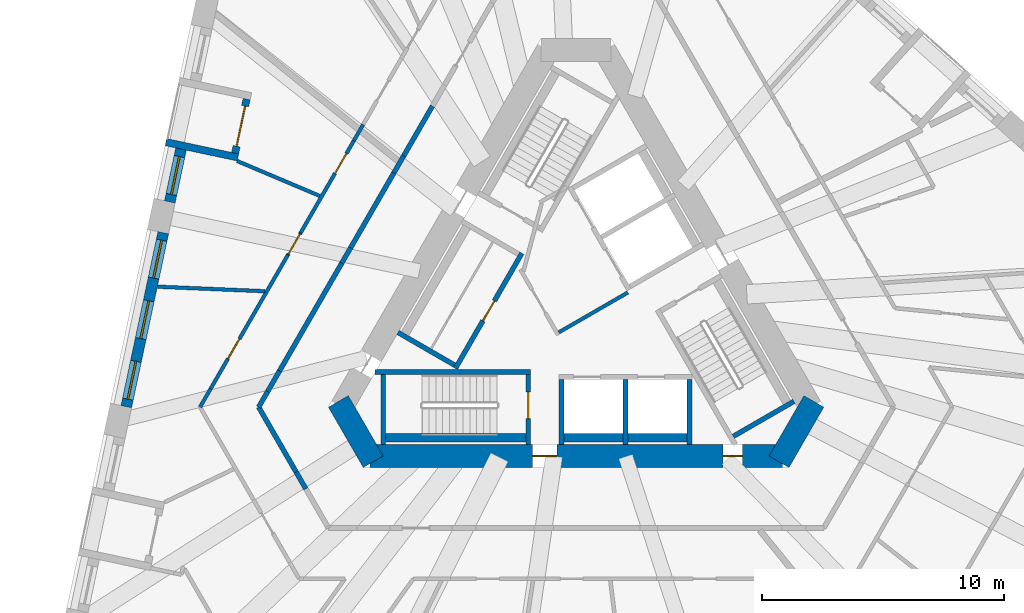
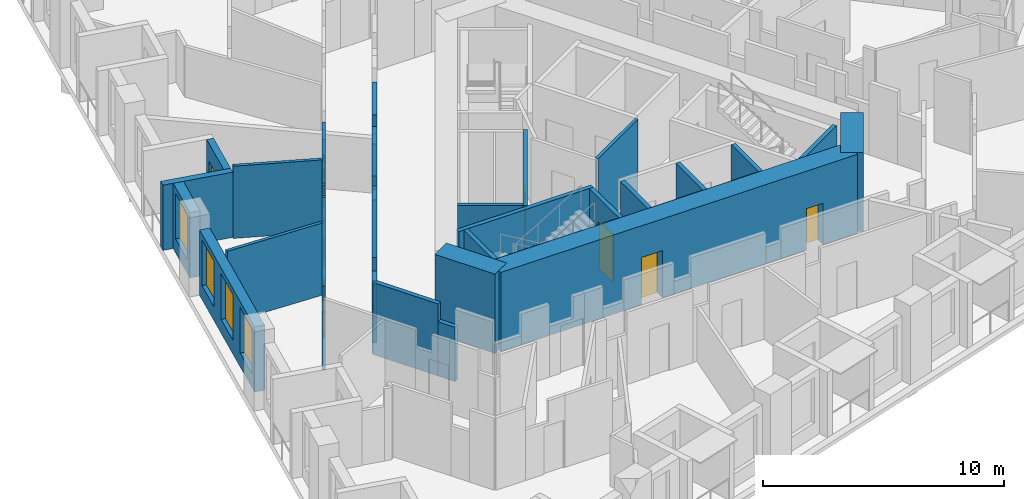
# One storey, part 4 of 13: 35 walls, 8 doors, 4 windows, 12 openings.
"""IFC4 building model written with IfcOpenShell, lengths in metres."""

from ifc_helpers import new_model, si_unit, direction, frame, frame_2d, origin, place, context, subcontext, project, spatial, polyline, rectangle, outline, extrude, material, layer, layer_set, type_object, element, fill, save


model = new_model("IFC4")

# Units and contexts
model_context = context("Model", 3, precision=1e-05, world=origin(), true_north=direction((0.0, 1.0)))
body_context = subcontext(model_context, "Body", "Model", "MODEL_VIEW")
ifc_project = project(units=[si_unit("LENGTHUNIT", "METRE"), si_unit("AREAUNIT", "SQUARE_METRE"), si_unit("VOLUMEUNIT", "CUBIC_METRE"), si_unit("PLANEANGLEUNIT", "RADIAN"), si_unit("MASSUNIT", "GRAM", prefix="KILO")], contexts=[model_context])

# Site, building, storey
site_placement = place(None, origin())
site = spatial("IfcSite", under=ifc_project, at=site_placement, CompositionType="ELEMENT")
building_placement = place(site_placement, origin())
building = spatial("IfcBuilding", under=site, at=building_placement, Name="Tramontana Tower", CompositionType="ELEMENT")
storey_placement = place(building_placement, frame((0.0, 0.0, 116.39990234375)))
storey = spatial("IfcBuildingStorey", under=building, at=storey_placement, Name="L26", CompositionType="ELEMENT", Elevation=116.39990234375)

# Wall
ifc_material_1 = material(Name="Concrete 70 MPa", Category="concrete")
ifc_layer_1 = layer(ifc_material_1, 0.949951171875)
ifc_layer_set_1 = layer_set([ifc_layer_1], Name="Core wall 950 70 MPa")
wall_type_1 = type_object("IfcWallType", Name="Core wall 950 70 MPa", PredefinedType="SHEAR", material=ifc_layer_set_1)
wall_1_placement = place(storey_placement, frame((-9.836669921875, -4.012451171875, 0.0), z_axis=(0.0, 0.0, 1.0), x_axis=(0.499995765644, -0.866027848477, 0.0)))
element("IfcWall", 1, at=wall_1_placement, inside=storey, type_object=wall_type_1, Name="Core wall C2 L26", PredefinedType="SHEAR", context=body_context, shape_type="SweptSolid", body=[
    extrude(rectangle(XDim=2.88671875, YDim=0.949951171875, at=frame_2d((1.443359375, 0.0))), origin(), (0.0, 0.0, 1.0), 4.0),
])

# Wall, openings, doors
wall_2_placement = place(storey_placement, frame((-8.530517578125, -6.27490234375, 0.0), z_axis=(0.0, 0.0, 1.0), x_axis=(1.0, 0.0, 0.0)))
wall_2 = element("IfcWall", 2, at=wall_2_placement, inside=storey, type_object=wall_type_1, Name="Core wall C3 L26", PredefinedType="SHEAR", context=body_context, shape_type="SweptSolid", body=[
    extrude(rectangle(XDim=17.06103515625, YDim=0.949951171875, at=frame_2d((8.530517578125, 0.0))), origin(), (0.0, 0.0, 1.0), 4.0),
])
opening_1_placement = place(wall_2_placement, frame((6.7353515625, 0.0, 0.0)))
opening_1 = element("IfcOpeningElement", 3, at=opening_1_placement, cuts=wall_2, Name="Opening RG2", PredefinedType="OPENING", context=body_context, shape_type="SweptSolid", body=[
    extrude(rectangle(XDim=1.0, YDim=2.39990234375, at=frame_2d((0.5, 1.199951171875))), frame((0.0, 0.48486328125, 0.0), z_axis=(0.0, -1.0, 0.0), x_axis=(1.0, 0.0, 0.0)), (0.0, 0.0, 1.0), 0.969970703125),
])
opening_2_placement = place(wall_2_placement, frame((14.61279296875, 0.0, 0.0)))
opening_2 = element("IfcOpeningElement", 4, at=opening_2_placement, cuts=wall_2, Name="Opening PD2", PredefinedType="OPENING", context=body_context, shape_type="SweptSolid", body=[
    extrude(rectangle(XDim=0.800048828125, YDim=2.10009765625, at=frame_2d((0.39990234375, 1.050048828125))), frame((0.0, 0.48486328125, 0.0), z_axis=(0.0, -1.0, 0.0), x_axis=(1.0, 0.0, 0.0)), (0.0, 0.0, 1.0), 0.969970703125),
])
ifc_material_2 = material(Name="Painted steel", Category="steel")
door_type_1 = type_object("IfcDoorType", Name="CUPBOARD DOOR 800", OperationType="SINGLE_SWING_LEFT", PredefinedType="DOOR", material=ifc_material_2)
door_1_placement = place(opening_2_placement, origin())
door_1 = element("IfcDoor", 5, at=door_1_placement, inside=storey, type_object=door_type_1, Name="Door PD2", OperationType="SINGLE_SWING_RIGHT", OverallHeight=2.10009765625, OverallWidth=0.800048828125, PredefinedType="DOOR", context=body_context, shape_type="SweptSolid", body=[
    extrude(rectangle(XDim=0.800048828125, YDim=2.10009765625, at=frame_2d((0.39990234375, 1.050048828125))), frame((0.0, 0.02490234375, 0.0), z_axis=(0.0, -1.0, 0.0), x_axis=(1.0, 0.0, 0.0)), (0.0, 0.0, 1.0), 0.050048828125),
])
fill(opening_2, door_1)
ifc_material_3 = material(Name="Painted steel", Category="steel")
door_type_2 = type_object("IfcDoorType", Name="RING DOOR 1000", OperationType="SINGLE_SWING_LEFT", PredefinedType="DOOR", material=ifc_material_3)
door_2_placement = place(opening_1_placement, origin())
door_2 = element("IfcDoor", 6, at=door_2_placement, inside=storey, type_object=door_type_2, Name="Door RG2", OperationType="SINGLE_SWING_LEFT", OverallHeight=2.39990234375, OverallWidth=1.0, PredefinedType="DOOR", context=body_context, shape_type="SweptSolid", body=[
    extrude(rectangle(XDim=1.0, YDim=2.39990234375, at=frame_2d((0.5, 1.199951171875))), frame((0.0, 0.02490234375, 0.0), z_axis=(0.0, -1.0, 0.0), x_axis=(1.0, 0.0, 0.0)), (0.0, 0.0, 1.0), 0.050048828125),
])
fill(opening_1, door_2)

# Walls
wall_3_placement = place(storey_placement, frame((8.393310546875, -6.512451171875, 0.0), z_axis=(0.0, 0.0, 1.0), x_axis=(0.499995765644, 0.866027848477, 0.0)))
element("IfcWall", 7, at=wall_3_placement, inside=storey, type_object=wall_type_1, Name="Core wall C4 L26", PredefinedType="SHEAR", context=body_context, shape_type="SweptSolid", body=[
    extrude(rectangle(XDim=2.88671875, YDim=0.949951171875, at=frame_2d((1.443359375, 0.0))), origin(), (0.0, 0.0, 1.0), 4.0),
])
ifc_material_4 = material(Name="Blockwork", Category="masonry")
ifc_layer_2 = layer(ifc_material_4, 0.199951171875)
ifc_layer_set_2 = layer_set([ifc_layer_2], Name="ENTRY WALL 200")
wall_type_2 = type_object("IfcWallType", Name="ENTRY WALL 200", PredefinedType="SOLIDWALL", material=ifc_layer_set_2)
wall_4_placement = place(storey_placement, frame((-11.181884765625, -7.63232421875, 0.0), z_axis=(0.0, 0.0, 1.0), x_axis=(-0.499942357345, 0.866058681229, 0.0)))
element("IfcWall", 8, at=wall_4_placement, inside=storey, type_object=wall_type_2, Name="Wall v22-ew3-2", PredefinedType="SOLIDWALL", context=body_context, shape_type="SweptSolid", body=[
    extrude(rectangle(XDim=0.80078125, YDim=0.199951171875, at=frame_2d((0.400390625, 0.0))), origin(), (0.0, 0.0, 1.0), 2.75),
])
wall_5_placement = place(storey_placement, frame((-11.582275390625, -6.938720703125, 0.0), z_axis=(0.0, 0.0, 1.0), x_axis=(-0.500037831766, 0.866003560503, 0.0)))
element("IfcWall", 9, at=wall_5_placement, inside=storey, type_object=wall_type_2, Name="Wall v22-ew3-3", PredefinedType="SOLIDWALL", context=body_context, shape_type="SweptSolid", body=[
    extrude(rectangle(XDim=3.104736328125, YDim=0.199951171875, at=frame_2d((1.55224609375, 0.0))), origin(), (0.0, 0.0, 1.0), 3.650146484375),
])
wall_6_placement = place(storey_placement, frame((-13.134765625, -4.25, 0.0), z_axis=(0.0, 0.0, 1.0), x_axis=(0.499987686533, 0.866032512851, 0.0)))
element("IfcWall", 10, at=wall_6_placement, inside=storey, type_object=wall_type_2, Name="Wall v22-ew4-0", PredefinedType="SOLIDWALL", context=body_context, shape_type="SweptSolid", body=[
    extrude(rectangle(XDim=0.74365234375, YDim=0.199951171875, at=frame_2d((0.371826171875, 0.0))), origin(), (0.0, 0.0, 1.0), 3.650146484375),
])
wall_7_placement = place(storey_placement, frame((-12.762939453125, -3.60595703125, 0.0), z_axis=(0.0, 0.0, 1.0), x_axis=(0.500061185694, 0.865990075325, 0.0)))
element("IfcWall", 11, at=wall_7_placement, inside=storey, type_object=wall_type_2, Name="Wall v22-ew4-1", PredefinedType="SOLIDWALL", context=body_context, shape_type="SweptSolid", body=[
    extrude(rectangle(XDim=0.9775390625, YDim=0.199951171875, at=frame_2d((0.48876953125, 0.0))), origin(), (0.0, 0.0, 1.0), 2.9501953125),
])
wall_8_placement = place(storey_placement, frame((-12.274169921875, -2.759521484375, 0.0), z_axis=(0.0, 0.0, 1.0), x_axis=(0.500001317485, 0.866024643133, 0.0)))
element("IfcWall", 12, at=wall_8_placement, inside=storey, type_object=wall_type_2, Name="Wall v22-ew4-2", PredefinedType="SOLIDWALL", context=body_context, shape_type="SweptSolid", body=[
    extrude(rectangle(XDim=5.1533203125, YDim=0.199951171875, at=frame_2d((2.57666015625, 0.0))), origin(), (0.0, 0.0, 1.0), 3.650146484375),
])
wall_9_placement = place(storey_placement, frame((-9.697509765625, 1.703369140625, 0.0), z_axis=(0.0, 0.0, 1.0), x_axis=(0.499885169746, 0.866091690913, 0.0)))
element("IfcWall", 13, at=wall_9_placement, inside=storey, type_object=wall_type_2, Name="Wall v22-ew4-3", PredefinedType="SOLIDWALL", context=body_context, shape_type="SweptSolid", body=[
    extrude(rectangle(XDim=0.736083984375, YDim=0.199951171875, at=frame_2d((0.3681640625, 0.0))), origin(), (0.0, 0.0, 1.0), 2.9501953125),
])
wall_10_placement = place(storey_placement, frame((-9.32958984375, 2.3408203125, 0.0), z_axis=(0.0, 0.0, 1.0), x_axis=(0.500029679218, 0.866008267802, 0.0)))
element("IfcWall", 14, at=wall_10_placement, inside=storey, type_object=wall_type_2, Name="Wall v22-ew4-4", PredefinedType="SOLIDWALL", context=body_context, shape_type="SweptSolid", body=[
    extrude(rectangle(XDim=3.576904296875, YDim=0.199951171875, at=frame_2d((1.78857421875, 0.0))), origin(), (0.0, 0.0, 1.0), 3.650146484375),
])
wall_11_placement = place(storey_placement, frame((-7.541015625, 5.4384765625, 0.0), z_axis=(0.0, 0.0, 1.0), x_axis=(0.499809598504, 0.866135304236, 0.0)))
element("IfcWall", 15, at=wall_11_placement, inside=storey, type_object=wall_type_2, Name="Wall v22-ew4-5", PredefinedType="SOLIDWALL", context=body_context, shape_type="SweptSolid", body=[
    extrude(rectangle(XDim=0.808349609375, YDim=0.199951171875, at=frame_2d((0.404296875, 0.0))), origin(), (0.0, 0.0, 1.0), 2.75),
])
wall_12_placement = place(storey_placement, frame((-7.136962890625, 6.138671875, 0.0), z_axis=(0.0, 0.0, 1.0), x_axis=(0.500035462246, 0.866004928679, 0.0)))
element("IfcWall", 16, at=wall_12_placement, inside=storey, type_object=wall_type_2, Name="Wall v22-ew4-6", PredefinedType="SOLIDWALL", context=body_context, shape_type="SweptSolid", body=[
    extrude(rectangle(XDim=2.385498046875, YDim=0.199951171875, at=frame_2d((1.19287109375, 0.0))), origin(), (0.0, 0.0, 1.0), 3.650146484375),
])

# Wall, opening, window
ifc_material_5 = material(Name="Precast concrete 60 MPa", Category="concrete")
ifc_layer_3 = layer(ifc_material_5, 0.449951171875)
ifc_layer_set_3 = layer_set([ifc_layer_3], Name="Precast concrete 60 MPa, 450 mm")
wall_type_3 = type_object("IfcWallType", Name="EW1 Stone-faced precast wall 450", PredefinedType="SOLIDWALL", material=ifc_layer_set_3)
wall_13_placement = place(storey_placement, frame((-16.34619140625, 6.42578125, 0.0), z_axis=(0.0, 0.0, 1.0), x_axis=(-0.207918801611, -0.978146089261, 0.0)))
wall_13 = element("IfcWall", 17, at=wall_13_placement, inside=storey, type_object=wall_type_3, Name="External wall L26 face 0 bay 3", PredefinedType="SOLIDWALL", context=body_context, shape_type="SweptSolid", body=[
    extrude(rectangle(XDim=2.23681640625, YDim=0.449951171875, at=frame_2d((1.118408203125, 0.0))), origin(), (0.0, 0.0, 1.0), 3.300048828125),
])
opening_3_placement = place(wall_13_placement, frame((0.318359375, 0.0, 0.699951171875)))
opening_3 = element("IfcOpeningElement", 18, at=opening_3_placement, cuts=wall_13, Name="Opening M1", PredefinedType="OPENING", context=body_context, shape_type="SweptSolid", body=[
    extrude(rectangle(XDim=1.60009765625, YDim=2.300048828125, at=frame_2d((0.800048828125, 1.14990234375))), frame((0.0, 0.23486328125, 0.0), z_axis=(0.0, -1.0, 0.0), x_axis=(1.0, 0.0, 0.0)), (0.0, 0.0, 1.0), 0.469970703125),
])
ifc_material_6 = material(Name="Aluminum frame, double glazing unit", Category="aluminium")
window_type = type_object("IfcWindowType", Name="M1 Window 1.6 x 2.3", PartitioningType="SINGLE_PANEL", PredefinedType="WINDOW", material=ifc_material_6)
window_1_placement = place(opening_3_placement, origin())
window_1 = element("IfcWindow", 19, at=window_1_placement, inside=storey, type_object=window_type, Name="Window M1 L26 face 0 module 9", OverallHeight=2.300048828125, OverallWidth=1.60009765625, PartitioningType="SINGLE_PANEL", PredefinedType="WINDOW", context=body_context, shape_type="SweptSolid", body=[
    extrude(rectangle(XDim=1.60009765625, YDim=2.300048828125, at=frame_2d((0.800048828125, 1.14990234375))), frame((0.0, 0.030029296875, 0.0), z_axis=(0.0, -1.0, 0.0), x_axis=(1.0, 0.0, 0.0)), (0.0, 0.0, 1.0), 0.06005859375),
])
fill(opening_3, window_1)

# Wall, openings, windows
wall_14_placement = place(storey_placement, frame((-17.08154296875, 2.96630859375, 0.0), z_axis=(0.0, 0.0, 1.0), x_axis=(-0.207909137741, -0.978148143403, 0.0)))
wall_14 = element("IfcWall", 20, at=wall_14_placement, inside=storey, type_object=wall_type_3, Name="External wall L26 face 0 bay 4", PredefinedType="SOLIDWALL", context=body_context, shape_type="SweptSolid", body=[
    extrude(rectangle(XDim=7.3603515625, YDim=0.449951171875, at=frame_2d((3.68017578125, 0.0))), origin(), (0.0, 0.0, 1.0), 3.300048828125),
])
opening_4_placement = place(wall_14_placement, frame((0.318359375, 0.0, 0.699951171875)))
opening_4 = element("IfcOpeningElement", 21, at=opening_4_placement, cuts=wall_14, Name="Opening M1", PredefinedType="OPENING", context=body_context, shape_type="SweptSolid", body=[
    extrude(rectangle(XDim=1.60009765625, YDim=2.300048828125, at=frame_2d((0.800048828125, 1.14990234375))), frame((0.0, 0.23486328125, 0.0), z_axis=(0.0, -1.0, 0.0), x_axis=(1.0, 0.0, 0.0)), (0.0, 0.0, 1.0), 0.469970703125),
])
opening_5_placement = place(wall_14_placement, frame((2.880126953125, 0.0, 0.699951171875)))
opening_5 = element("IfcOpeningElement", 22, at=opening_5_placement, cuts=wall_14, Name="Opening M1", PredefinedType="OPENING", context=body_context, shape_type="SweptSolid", body=[
    extrude(rectangle(XDim=1.60009765625, YDim=2.300048828125, at=frame_2d((0.800048828125, 1.14990234375))), frame((0.0, 0.23486328125, 0.0), z_axis=(0.0, -1.0, 0.0), x_axis=(1.0, 0.0, 0.0)), (0.0, 0.0, 1.0), 0.469970703125),
])
opening_6_placement = place(wall_14_placement, frame((5.44189453125, 0.0, 0.699951171875)))
opening_6 = element("IfcOpeningElement", 23, at=opening_6_placement, cuts=wall_14, Name="Opening M1", PredefinedType="OPENING", context=body_context, shape_type="SweptSolid", body=[
    extrude(rectangle(XDim=1.60009765625, YDim=2.300048828125, at=frame_2d((0.800048828125, 1.14990234375))), frame((0.0, 0.23486328125, 0.0), z_axis=(0.0, -1.0, 0.0), x_axis=(1.0, 0.0, 0.0)), (0.0, 0.0, 1.0), 0.469970703125),
])
window_2_placement = place(opening_4_placement, origin())
window_2 = element("IfcWindow", 24, at=window_2_placement, inside=storey, type_object=window_type, Name="Window M1 L26 face 0 module 10", OverallHeight=2.300048828125, OverallWidth=1.60009765625, PartitioningType="SINGLE_PANEL", PredefinedType="WINDOW", context=body_context, shape_type="SweptSolid", body=[
    extrude(rectangle(XDim=1.60009765625, YDim=2.300048828125, at=frame_2d((0.800048828125, 1.14990234375))), frame((0.0, 0.030029296875, 0.0), z_axis=(0.0, -1.0, 0.0), x_axis=(1.0, 0.0, 0.0)), (0.0, 0.0, 1.0), 0.06005859375),
])
fill(opening_4, window_2)
window_3_placement = place(opening_5_placement, origin())
window_3 = element("IfcWindow", 25, at=window_3_placement, inside=storey, type_object=window_type, Name="Window M1 L26 face 0 module 11", OverallHeight=2.300048828125, OverallWidth=1.60009765625, PartitioningType="SINGLE_PANEL", PredefinedType="WINDOW", context=body_context, shape_type="SweptSolid", body=[
    extrude(rectangle(XDim=1.60009765625, YDim=2.300048828125, at=frame_2d((0.800048828125, 1.14990234375))), frame((0.0, 0.030029296875, 0.0), z_axis=(0.0, -1.0, 0.0), x_axis=(1.0, 0.0, 0.0)), (0.0, 0.0, 1.0), 0.06005859375),
])
fill(opening_5, window_3)
window_4_placement = place(opening_6_placement, origin())
window_4 = element("IfcWindow", 26, at=window_4_placement, inside=storey, type_object=window_type, Name="Window M1 L26 face 0 module 12", OverallHeight=2.300048828125, OverallWidth=1.60009765625, PartitioningType="SINGLE_PANEL", PredefinedType="WINDOW", context=body_context, shape_type="SweptSolid", body=[
    extrude(rectangle(XDim=1.60009765625, YDim=2.300048828125, at=frame_2d((0.800048828125, 1.14990234375))), frame((0.0, 0.030029296875, 0.0), z_axis=(0.0, -1.0, 0.0), x_axis=(1.0, 0.0, 0.0)), (0.0, 0.0, 1.0), 0.06005859375),
])
fill(opening_6, window_4)

# Wall, opening, door
ifc_material_7 = material(Name="Precast concrete 60 MPa", Category="concrete")
ifc_layer_4 = layer(ifc_material_7, 0.300048828125)
ifc_layer_set_4 = layer_set([ifc_layer_4], Name="LW1 Stone-faced loggia wall 300")
wall_type_4 = type_object("IfcWallType", Name="LW1 Stone-faced loggia wall 300", PredefinedType="SOLIDWALL", material=ifc_layer_set_4)
wall_15_placement = place(storey_placement, frame((-13.632080078125, 8.493408203125, 0.0), z_axis=(0.0, 0.0, 1.0), x_axis=(-0.207866417042, -0.978157222877, 0.0)))
wall_15 = element("IfcWall", 27, at=wall_15_placement, inside=storey, type_object=wall_type_4, Name="Loggia wall L26 G2S0.7", PredefinedType="SOLIDWALL", context=body_context, shape_type="SweptSolid", body=[
    extrude(rectangle(XDim=2.286865234375, YDim=0.300048828125, at=frame_2d((1.1435546875, 0.0))), origin(), (0.0, 0.0, 1.0), 3.300048828125),
])
opening_7_placement = place(wall_15_placement, frame((0.29345703125, 0.0, 0.0)))
opening_7 = element("IfcOpeningElement", 28, at=opening_7_placement, cuts=wall_15, Name="Opening BD-2S0-07", PredefinedType="OPENING", context=body_context, shape_type="SweptSolid", body=[
    extrude(rectangle(XDim=1.699951171875, YDim=2.39990234375, at=frame_2d((0.85009765625, 1.199951171875))), frame((0.0, 0.159912109375, 0.0), z_axis=(0.0, -1.0, 0.0), x_axis=(1.0, 0.0, 0.0)), (0.0, 0.0, 1.0), 0.320068359375),
])
ifc_material_8 = material(Name="Aluminum frame, double glazing unit", Category="aluminium")
door_type_3 = type_object("IfcDoorType", Name="BD1 Sliding door 1.7 x 2.4", OperationType="SLIDING_TO_LEFT", PredefinedType="DOOR", material=ifc_material_8)
door_3_placement = place(opening_7_placement, origin())
door_3 = element("IfcDoor", 29, at=door_3_placement, inside=storey, type_object=door_type_3, Name="Loggia door L26 G2S0.7", OperationType="SLIDING_TO_LEFT", OverallHeight=2.39990234375, OverallWidth=1.699951171875, PredefinedType="DOOR", context=body_context, shape_type="SweptSolid", body=[
    extrude(rectangle(XDim=1.699951171875, YDim=2.39990234375, at=frame_2d((0.85009765625, 1.199951171875))), frame((0.0, 0.02490234375, 0.0), z_axis=(0.0, -1.0, 0.0), x_axis=(1.0, 0.0, 0.0)), (0.0, 0.0, 1.0), 0.050048828125),
])
fill(opening_7, door_3)

# Walls
wall_16_placement = place(storey_placement, frame((-16.975341796875, 6.712890625, 0.0), z_axis=(0.0, 0.0, 1.0), x_axis=(0.978138503145, -0.207954487003, 0.0)))
element("IfcWall", 30, at=wall_16_placement, inside=storey, type_object=wall_type_4, Name="Loggia return L26 G2S0.7b", PredefinedType="SOLIDWALL", context=body_context, shape_type="SweptSolid", body=[
    extrude(rectangle(XDim=3.050048828125, YDim=0.300048828125, at=frame_2d((1.52490234375, 0.0))), origin(), (0.0, 0.0, 1.0), 3.300048828125),
])
ifc_material_9 = material(Name="Gypsum board partition")
ifc_layer_5 = layer(ifc_material_9, 0.14990234375)
ifc_layer_set_5 = layer_set([ifc_layer_5], Name="PARTITION 150")
wall_type_5 = type_object("IfcWallType", Name="PARTITION 150", PredefinedType="PARTITIONING", material=ifc_layer_set_5)
wall_17_placement = place(storey_placement, frame((-0.716796875, -1.15869140625, 0.0), z_axis=(0.0, 0.0, 1.0), x_axis=(0.866008176907, 0.50002983664, 0.0)))
element("IfcWall", 31, at=wall_17_placement, inside=storey, type_object=wall_type_5, Name="Wall ff-end0", PredefinedType="PARTITIONING", context=body_context, shape_type="SweptSolid", body=[
    extrude(rectangle(XDim=3.300048828125, YDim=0.14990234375, at=frame_2d((1.64990234375, 0.0))), origin(), (0.0, 0.0, 1.0), 3.650146484375),
])
wall_18_placement = place(storey_placement, frame((-17.326416015625, 0.731689453125, 0.0), z_axis=(0.0, 0.0, 1.0), x_axis=(0.999108089959, -0.042225875694, 0.0)))
element("IfcWall", 32, at=wall_18_placement, inside=storey, type_object=wall_type_5, Name="Wall v22-pw00", PredefinedType="PARTITIONING", context=body_context, shape_type="SweptSolid", body=[
    extrude(rectangle(XDim=4.451904296875, YDim=0.14990234375, at=frame_2d((2.22607421875, 0.0))), origin(), (0.0, 0.0, 1.0), 3.650146484375),
])
wall_19_placement = place(storey_placement, frame((-15.5595703125, -4.25, 0.0), z_axis=(0.0, 0.0, 1.0), x_axis=(0.499884524299, 0.866092063448, 0.0)))
element("IfcWall", 33, at=wall_19_placement, inside=storey, type_object=wall_type_5, Name="Wall v22-pw04-0", PredefinedType="PARTITIONING", context=body_context, shape_type="SweptSolid", body=[
    extrude(rectangle(XDim=0.869384765625, YDim=0.14990234375, at=frame_2d((0.4345703125, 0.0))), origin(), (0.0, 0.0, 1.0), 2.9501953125),
])

# Wall, opening, door
wall_20_placement = place(storey_placement, frame((-15.125, -3.4970703125, 0.0), z_axis=(0.0, 0.0, 1.0), x_axis=(0.500005447918, 0.866022258404, 0.0)))
wall_20 = element("IfcWall", 34, at=wall_20_placement, inside=storey, type_object=wall_type_5, Name="Wall v22-pw04-1", PredefinedType="PARTITIONING", context=body_context, shape_type="SweptSolid", body=[
    extrude(rectangle(XDim=6.3974609375, YDim=0.14990234375, at=frame_2d((3.19873046875, 0.0))), origin(), (0.0, 0.0, 1.0), 3.650146484375),
])
opening_8_placement = place(wall_20_placement, frame((1.44287109375, 0.0, 0.0)))
opening_8 = element("IfcOpeningElement", 35, at=opening_8_placement, cuts=wall_20, Name="Opening B2C-09", PredefinedType="OPENING", context=body_context, shape_type="SweptSolid", body=[
    extrude(rectangle(XDim=0.949951171875, YDim=2.39990234375, at=frame_2d((0.47509765625, 1.199951171875))), frame((0.0, 0.0849609375, 0.0), z_axis=(0.0, -1.0, 0.0), x_axis=(1.0, 0.0, 0.0)), (0.0, 0.0, 1.0), 0.169921875),
])
ifc_material_10 = material(Name="Painted timber", Category="wood")
door_type_4 = type_object("IfcDoorType", Name="DOOR ROOM 950", OperationType="SINGLE_SWING_LEFT", PredefinedType="DOOR", material=ifc_material_10)
door_4_placement = place(opening_8_placement, origin())
door_4 = element("IfcDoor", 36, at=door_4_placement, inside=storey, type_object=door_type_4, Name="Door B2C-09", OperationType="SINGLE_SWING_LEFT", OverallHeight=2.39990234375, OverallWidth=0.949951171875, PredefinedType="DOOR", context=body_context, shape_type="SweptSolid", body=[
    extrude(rectangle(XDim=0.949951171875, YDim=2.39990234375, at=frame_2d((0.47509765625, 1.199951171875))), frame((0.0, 0.02490234375, 0.0), z_axis=(0.0, -1.0, 0.0), x_axis=(1.0, 0.0, 0.0)), (0.0, 0.0, 1.0), 0.050048828125),
])
fill(opening_8, door_4)

wall_21_placement = place(storey_placement, frame((-11.92626953125, 2.043212890625, 0.0), z_axis=(0.0, 0.0, 1.0), x_axis=(0.500165247297, 0.86592997719, 0.0)))
wall_21 = element("IfcWall", 37, at=wall_21_placement, inside=storey, type_object=wall_type_5, Name="Wall v22-pw04-2", PredefinedType="PARTITIONING", context=body_context, shape_type="SweptSolid", body=[
    extrude(outline(polyline([(0.0, 0.0), (1.050048828125, 0.0), (1.050048828125, 3.650146484375), (0.86083984375, 3.650146484375), (0.86083984375, 2.9501953125), (0.15087890625, 2.9501953125), (0.15087890625, 3.650146484375), (0.0, 3.650146484375), (0.0, 0.0)])), frame((0.0, 0.074951171875, 0.0), z_axis=(0.0, -1.0, 0.0), x_axis=(1.0, 0.0, 0.0)), (0.0, 0.0, 1.0), 0.14990234375),
])
opening_9_placement = place(wall_21_placement, frame((0.050048828125, 0.0, 0.0)))
opening_9 = element("IfcOpeningElement", 38, at=opening_9_placement, cuts=wall_21, Name="Opening B2C-10", PredefinedType="OPENING", context=body_context, shape_type="SweptSolid", body=[
    extrude(rectangle(XDim=0.949951171875, YDim=2.39990234375, at=frame_2d((0.47509765625, 1.199951171875))), frame((0.0, 0.0849609375, 0.0), z_axis=(0.0, -1.0, 0.0), x_axis=(1.0, 0.0, 0.0)), (0.0, 0.0, 1.0), 0.169921875),
])
door_5_placement = place(opening_9_placement, origin())
door_5 = element("IfcDoor", 39, at=door_5_placement, inside=storey, type_object=door_type_4, Name="Door B2C-10", OperationType="SINGLE_SWING_RIGHT", OverallHeight=2.39990234375, OverallWidth=0.949951171875, PredefinedType="DOOR", context=body_context, shape_type="SweptSolid", body=[
    extrude(rectangle(XDim=0.949951171875, YDim=2.39990234375, at=frame_2d((0.47509765625, 1.199951171875))), frame((0.0, 0.02490234375, 0.0), z_axis=(0.0, -1.0, 0.0), x_axis=(1.0, 0.0, 0.0)), (0.0, 0.0, 1.0), 0.050048828125),
])
fill(opening_9, door_5)

wall_22_placement = place(storey_placement, frame((-11.401123046875, 2.952392578125, 0.0), z_axis=(0.0, 0.0, 1.0), x_axis=(0.499957765443, 0.866049786544, 0.0)))
wall_22 = element("IfcWall", 40, at=wall_22_placement, inside=storey, type_object=wall_type_5, Name="Wall v22-pw04-3", PredefinedType="PARTITIONING", context=body_context, shape_type="SweptSolid", body=[
    extrude(rectangle(XDim=4.40087890625, YDim=0.14990234375, at=frame_2d((2.200439453125, 0.0))), origin(), (0.0, 0.0, 1.0), 3.650146484375),
])
opening_10_placement = place(wall_22_placement, frame((2.847900390625, 0.0, 0.0)))
opening_10 = element("IfcOpeningElement", 41, at=opening_10_placement, cuts=wall_22, Name="Opening B2C-11", PredefinedType="OPENING", context=body_context, shape_type="SweptSolid", body=[
    extrude(rectangle(XDim=0.949951171875, YDim=2.39990234375, at=frame_2d((0.47509765625, 1.199951171875))), frame((0.0, 0.0849609375, 0.0), z_axis=(0.0, -1.0, 0.0), x_axis=(1.0, 0.0, 0.0)), (0.0, 0.0, 1.0), 0.169921875),
])
door_6_placement = place(opening_10_placement, origin())
door_6 = element("IfcDoor", 42, at=door_6_placement, inside=storey, type_object=door_type_4, Name="Door B2C-11", OperationType="SINGLE_SWING_LEFT", OverallHeight=2.39990234375, OverallWidth=0.949951171875, PredefinedType="DOOR", context=body_context, shape_type="SweptSolid", body=[
    extrude(rectangle(XDim=0.949951171875, YDim=2.39990234375, at=frame_2d((0.47509765625, 1.199951171875))), frame((0.0, 0.02490234375, 0.0), z_axis=(0.0, -1.0, 0.0), x_axis=(1.0, 0.0, 0.0)), (0.0, 0.0, 1.0), 0.050048828125),
])
fill(opening_10, door_6)

# Walls
wall_23_placement = place(storey_placement, frame((-9.200927734375, 6.763671875, 0.0), z_axis=(0.0, 0.0, 1.0), x_axis=(0.500028278809, 0.866009076391, 0.0)))
element("IfcWall", 43, at=wall_23_placement, inside=storey, type_object=wall_type_5, Name="Wall v22-pw04-4", PredefinedType="PARTITIONING", context=body_context, shape_type="SweptSolid", body=[
    extrude(rectangle(XDim=0.783203125, YDim=0.14990234375, at=frame_2d((0.3916015625, 0.0))), origin(), (0.0, 0.0, 1.0), 2.75),
])
wall_24_placement = place(storey_placement, frame((-14.023193359375, 5.931884765625, 0.0), z_axis=(0.0, 0.0, 1.0), x_axis=(0.920988119106, -0.389590662704, 0.0)))
element("IfcWall", 44, at=wall_24_placement, inside=storey, type_object=wall_type_5, Name="Wall v22-pw05", PredefinedType="PARTITIONING", context=body_context, shape_type="SweptSolid", body=[
    extrude(rectangle(XDim=3.713623046875, YDim=0.14990234375, at=frame_2d((1.85693359375, 0.0))), origin(), (0.0, 0.0, 1.0), 3.650146484375),
])
ifc_material_11 = material(Name="Concrete 70 MPa", Category="concrete")
ifc_layer_6 = layer(ifc_material_11, 0.35009765625)
ifc_layer_set_6 = layer_set([ifc_layer_6], Name="Concrete 70 MPa, 350 mm")
wall_type_6 = type_object("IfcWallType", Name="RC SHAFT BACK WALL 350", PredefinedType="SOLIDWALL", material=ifc_layer_set_6)
wall_25_placement = place(storey_placement, frame((-8.080078125, -5.52490234375, 0.0), z_axis=(0.0, 0.0, 1.0), x_axis=(1.0, 0.0, 0.0)))
element("IfcWall", 45, at=wall_25_placement, inside=storey, type_object=wall_type_6, Name="Wall st2-back", PredefinedType="SOLIDWALL", context=body_context, shape_type="SweptSolid", body=[
    extrude(rectangle(XDim=6.2001953125, YDim=0.35009765625, at=frame_2d((3.10009765625, 0.0))), origin(), (0.0, 0.0, 1.0), 3.650146484375),
])
wall_26_placement = place(storey_placement, frame((-0.7099609375, -5.52490234375, 0.0), z_axis=(0.0, 0.0, 1.0), x_axis=(1.0, 0.0, 0.0)))
element("IfcWall", 46, at=wall_26_placement, inside=storey, type_object=wall_type_6, Name="Wall row1-back", PredefinedType="SOLIDWALL", context=body_context, shape_type="SweptSolid", body=[
    extrude(rectangle(XDim=5.5, YDim=0.35009765625, at=frame_2d((2.75, 0.0))), origin(), (0.0, 0.0, 1.0), 3.650146484375),
])
ifc_material_12 = material(Name="Concrete 70 MPa", Category="concrete")
ifc_layer_7 = layer(ifc_material_12, 0.199951171875)
ifc_layer_set_7 = layer_set([ifc_layer_7], Name="Concrete 70 MPa, 200 mm")
wall_type_7 = type_object("IfcWallType", Name="RC STAIR AND SHAFT WALL 200", PredefinedType="SOLIDWALL", material=ifc_layer_set_7)
wall_27_placement = place(storey_placement, frame((-8.31396484375, -2.800048828125, 0.0), z_axis=(0.0, 0.0, 1.0), x_axis=(1.0, 0.0, 0.0)))
element("IfcWall", 47, at=wall_27_placement, inside=storey, type_object=wall_type_7, Name="Wall st2-front", PredefinedType="SOLIDWALL", context=body_context, shape_type="SweptSolid", body=[
    extrude(rectangle(XDim=6.43408203125, YDim=0.199951171875, at=frame_2d((3.217041015625, 0.0))), origin(), (0.0, 0.0, 1.0), 3.650146484375),
])
wall_28_placement = place(storey_placement, frame((-7.97998046875, -2.89990234375, 0.0), z_axis=(0.0, 0.0, 1.0), x_axis=(0.0, -1.0, 0.0)))
element("IfcWall", 48, at=wall_28_placement, inside=storey, type_object=wall_type_7, Name="Wall st2-far", PredefinedType="SOLIDWALL", context=body_context, shape_type="SweptSolid", body=[
    extrude(rectangle(XDim=2.900146484375, YDim=0.199951171875, at=frame_2d((1.4501953125, 0.0))), origin(), (0.0, 0.0, 1.0), 3.650146484375),
])

# Wall, opening, door
wall_29_placement = place(storey_placement, frame((-1.97998046875, -2.89990234375, 0.0), z_axis=(0.0, 0.0, 1.0), x_axis=(0.0, -1.0, 0.0)))
wall_29 = element("IfcWall", 49, at=wall_29_placement, inside=storey, type_object=wall_type_7, Name="Wall st2-near", PredefinedType="SOLIDWALL", context=body_context, shape_type="SweptSolid", body=[
    extrude(rectangle(XDim=2.900146484375, YDim=0.199951171875, at=frame_2d((1.4501953125, 0.0))), origin(), (0.0, 0.0, 1.0), 3.650146484375),
])
opening_11_placement = place(wall_29_placement, frame((0.72509765625, 0.0, 0.0)))
opening_11 = element("IfcOpeningElement", 50, at=opening_11_placement, cuts=wall_29, Name="Opening SD2", PredefinedType="OPENING", context=body_context, shape_type="SweptSolid", body=[
    extrude(rectangle(XDim=1.10009765625, YDim=2.39990234375, at=frame_2d((0.550048828125, 1.199951171875))), frame((0.0, 0.10986328125, 0.0), z_axis=(0.0, -1.0, 0.0), x_axis=(1.0, 0.0, 0.0)), (0.0, 0.0, 1.0), 0.219970703125),
])
ifc_material_13 = material(Name="Painted steel", Category="steel")
door_type_5 = type_object("IfcDoorType", Name="STAIR DOOR 1100", OperationType="SINGLE_SWING_LEFT", PredefinedType="DOOR", material=ifc_material_13)
door_7_placement = place(opening_11_placement, origin())
door_7 = element("IfcDoor", 51, at=door_7_placement, inside=storey, type_object=door_type_5, Name="Door SD2", OperationType="SINGLE_SWING_LEFT", OverallHeight=2.39990234375, OverallWidth=1.10009765625, PredefinedType="DOOR", context=body_context, shape_type="SweptSolid", body=[
    extrude(rectangle(XDim=1.10009765625, YDim=2.39990234375, at=frame_2d((0.550048828125, 1.199951171875))), frame((0.0, 0.02490234375, 0.0), z_axis=(0.0, -1.0, 0.0), x_axis=(1.0, 0.0, 0.0)), (0.0, 0.0, 1.0), 0.050048828125),
])
fill(opening_11, door_7)

# Wall
wall_30_placement = place(storey_placement, frame((6.50146484375, -5.4609375, 0.0), z_axis=(0.0, 0.0, 1.0), x_axis=(0.866032775405, 0.499987231761, 0.0)))
element("IfcWall", 52, at=wall_30_placement, inside=storey, type_object=wall_type_7, Name="Wall st3-far", PredefinedType="SOLIDWALL", context=body_context, shape_type="SweptSolid", body=[
    extrude(rectangle(XDim=2.89990234375, YDim=0.199951171875, at=frame_2d((1.449951171875, 0.0))), origin(), (0.0, 0.0, 1.0), 3.650146484375),
])

# Wall, opening, door
wall_31_placement = place(storey_placement, frame((-4.9931640625, -2.648193359375, 0.0), z_axis=(0.0, 0.0, 1.0), x_axis=(0.499996545922, 0.866027397988, 0.0)))
wall_31 = element("IfcWall", 53, at=wall_31_placement, inside=storey, type_object=wall_type_7, Name="Wall row0-front", PredefinedType="SOLIDWALL", context=body_context, shape_type="SweptSolid", body=[
    extrude(rectangle(XDim=5.5, YDim=0.199951171875, at=frame_2d((2.75, 0.0))), origin(), (0.0, 0.0, 1.0), 3.650146484375),
])
opening_12_placement = place(wall_31_placement, frame((2.27490234375, 0.0, 0.0)))
opening_12 = element("IfcOpeningElement", 54, at=opening_12_placement, cuts=wall_31, Name="Opening RD-0A", PredefinedType="OPENING", context=body_context, shape_type="SweptSolid", body=[
    extrude(rectangle(XDim=0.949951171875, YDim=2.39990234375, at=frame_2d((0.47509765625, 1.199951171875))), frame((0.0, 0.10986328125, 0.0), z_axis=(0.0, -1.0, 0.0), x_axis=(1.0, 0.0, 0.0)), (0.0, 0.0, 1.0), 0.219970703125),
])
door_8_placement = place(opening_12_placement, origin())
door_8 = element("IfcDoor", 55, at=door_8_placement, inside=storey, type_object=door_type_4, Name="Door RD-0A", OperationType="SINGLE_SWING_LEFT", OverallHeight=2.39990234375, OverallWidth=0.949951171875, PredefinedType="DOOR", context=body_context, shape_type="SweptSolid", body=[
    extrude(rectangle(XDim=0.949951171875, YDim=2.39990234375, at=frame_2d((0.47509765625, 1.199951171875))), frame((0.0, 0.02490234375, 0.0), z_axis=(0.0, -1.0, 0.0), x_axis=(1.0, 0.0, 0.0)), (0.0, 0.0, 1.0), 0.050048828125),
])
fill(opening_12, door_8)

# Walls
for number, where, z_axis, x_axis, name in (
    (56, (-5.02978515625, -2.51171875, 0.0), (0.0, 0.0, 1.0), (-0.86599734893, 0.500048589285, 0.0), "Wall row0-side2"),
    (57, (-0.610107421875, -3.10009765625, 0.0), (0.0, 0.0, 1.0), (0.0, -1.0, 0.0), "Wall row1-side0"),
    (58, (2.0400390625, -3.10009765625, 0.0), (0.0, 0.0, 1.0), (0.0, -1.0, 0.0), "Wall row1-side1"),
    (59, (4.68994140625, -3.10009765625, 0.0), (0.0, 0.0, 1.0), (0.0, -1.0, 0.0), "Wall row1-side2"),
):
    element("IfcWall", number, at=place(storey_placement, frame(where, z_axis=z_axis, x_axis=x_axis)), inside=storey, type_object=wall_type_7, Name=name, PredefinedType="SOLIDWALL", context=body_context, shape_type="SweptSolid", body=[
        extrude(rectangle(XDim=2.699951171875, YDim=0.199951171875, at=frame_2d((1.35009765625, 0.0))), origin(), (0.0, 0.0, 1.0), 3.650146484375),
    ])

save(model, "model.ifc")
